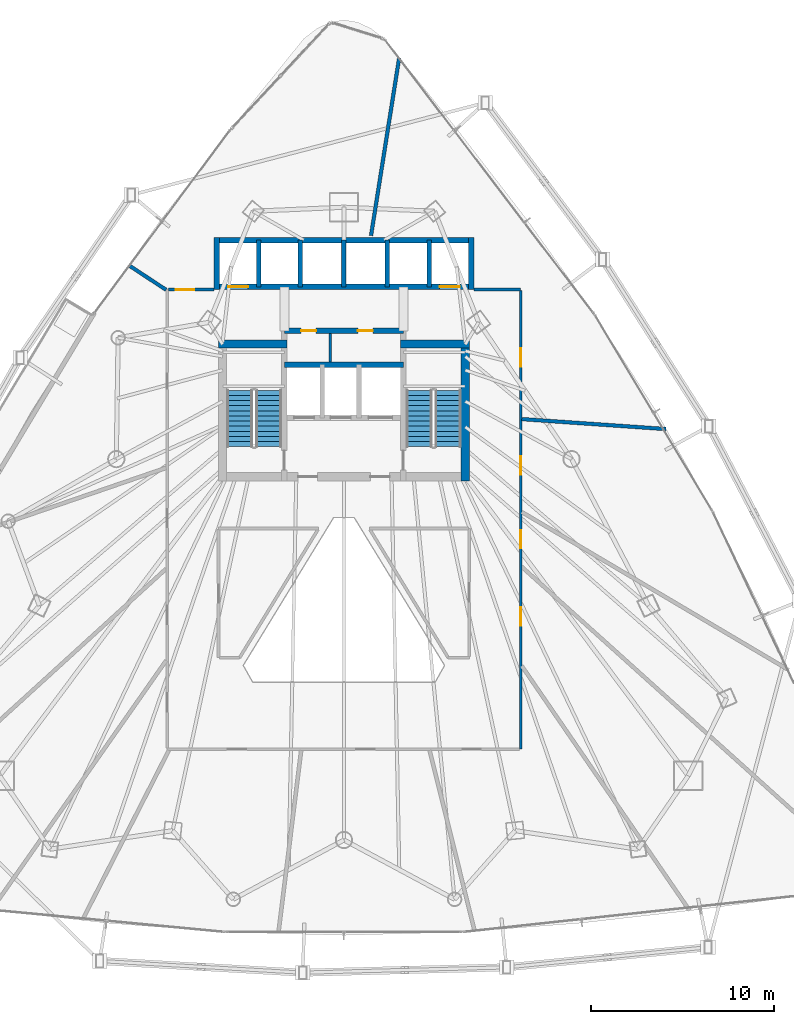
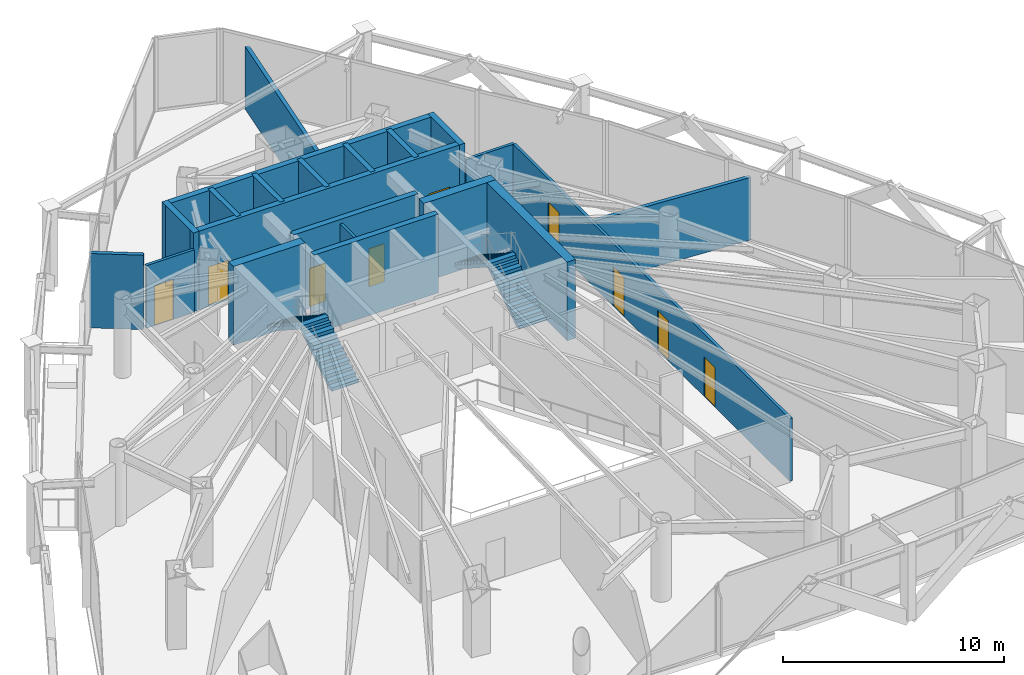
# One storey, part 29 of 33: 21 walls, 9 doors, 4 stair flights, 9 openings, 2 elements without a shape of their own.
"""IFC4 building model written with IfcOpenShell, lengths in metres."""

from ifc_helpers import new_model, si_unit, direction, frame, frame_2d, origin, place, context, subcontext, project, spatial, polyline, rectangle, outline, extrude, material, layer, layer_set, type_object, element, fill, aggregate, save


model = new_model("IFC4")

# Units and contexts
model_context = context("Model", 3, precision=1e-05, world=origin(), true_north=direction((0.0, 1.0)))
body_context = subcontext(model_context, "Body", "Model", "MODEL_VIEW")
ifc_project = project(units=[si_unit("LENGTHUNIT", "METRE"), si_unit("AREAUNIT", "SQUARE_METRE"), si_unit("VOLUMEUNIT", "CUBIC_METRE"), si_unit("PLANEANGLEUNIT", "RADIAN"), si_unit("MASSUNIT", "GRAM", prefix="KILO")], contexts=[model_context])

# Site, building, storey
site_placement = place(None, origin())
site = spatial("IfcSite", under=ifc_project, at=site_placement, CompositionType="ELEMENT")
building_placement = place(site_placement, origin())
building = spatial("IfcBuilding", under=site, at=building_placement, Name="Orvanel Arch Residences", CompositionType="ELEMENT")
storey_placement = place(building_placement, frame((0.0, 0.0, 59.89990234375)))
storey = spatial("IfcBuildingStorey", under=building, at=storey_placement, Name="L16", CompositionType="ELEMENT", Elevation=59.89990234375)

# Walls
ifc_material_1 = material(Name="Concrete N50 (50 MPa)", Category="concrete")
ifc_layer_1 = layer(ifc_material_1, 0.25)
ifc_layer_set_1 = layer_set([ifc_layer_1], Name="Concrete N50 (50 MPa)")
wall_type_1 = type_object("IfcWallType", Name="SW-CORE-250", PredefinedType="SHEAR", material=ifc_layer_set_1)
for number, where, z_axis, x_axis, name in (
    (1, (28.35009765625, 37.050048828125, 0.0), (0.0, 0.0, 1.0), (0.0, 1.0, 0.0), "L16 Passenger Lift Inter-Shaft Wall P13"),
    (2, (30.625, 37.050048828125, 0.0), (0.0, 0.0, 1.0), (0.0, 1.0, 0.0), "L16 Passenger Lift Inter-Shaft Wall P35"),
    (3, (33.0, 37.050048828125, 0.0), (0.0, 0.0, 1.0), (0.0, 1.0, 0.0), "L16 Passenger Lift Inter-Shaft Wall P56"),
    (4, (35.375, 37.050048828125, 0.0), (0.0, 0.0, 1.0), (0.0, 1.0, 0.0), "L16 Passenger Lift Inter-Shaft Wall P64"),
    (5, (37.64990234375, 37.050048828125, 0.0), (0.0, 0.0, 1.0), (0.0, 1.0, 0.0), "L16 Passenger Lift Inter-Shaft Wall P42"),
):
    element("IfcWall", number, at=place(storey_placement, frame(where, z_axis=z_axis, x_axis=x_axis)), inside=storey, type_object=wall_type_1, Name=name, PredefinedType="SHEAR", context=body_context, shape_type="SweptSolid", body=[
        extrude(rectangle(XDim=2.550048828125, YDim=0.25, at=frame_2d((1.27490234375, 0.0))), origin(), (0.0, 0.0, 1.0), 4.35009765625),
    ])
ifc_material_2 = material(Name="Concrete S80 (80 MPa)", Category="concrete")
ifc_layer_2 = layer(ifc_material_2, 0.300048828125)
ifc_layer_set_2 = layer_set([ifc_layer_2], Name="Concrete S80 (80 MPa)")
wall_type_2 = type_object("IfcWallType", Name="SW-CORE-300", PredefinedType="SHEAR", material=ifc_layer_set_2)
wall_1_placement = place(storey_placement, frame((29.75, 32.800048828125, 0.0), z_axis=(0.0, 0.0, 1.0), x_axis=(1.0, 0.0, 0.0)))
element("IfcWall", 6, at=wall_1_placement, inside=storey, type_object=wall_type_2, Name="L16 Emergency Lift Back Core Shear Wall", PredefinedType="SHEAR", context=body_context, shape_type="SweptSolid", body=[
    extrude(rectangle(XDim=6.5, YDim=0.300048828125, at=frame_2d((3.25, 0.0))), origin(), (0.0, 0.0, 1.0), 4.35009765625),
])

# Wall, openings, doors
wall_2_placement = place(storey_placement, frame((29.75, 34.64990234375, 0.0), z_axis=(0.0, 0.0, 1.0), x_axis=(1.0, 0.0, 0.0)))
wall_2 = element("IfcWall", 7, at=wall_2_placement, inside=storey, type_object=wall_type_2, Name="L16 Core Service Band North Shear Wall", PredefinedType="SHEAR", context=body_context, shape_type="SweptSolid", body=[
    extrude(rectangle(XDim=6.5, YDim=0.300048828125, at=frame_2d((3.25, 0.0))), origin(), (0.0, 0.0, 1.0), 4.35009765625),
])
opening_1_placement = place(wall_2_placement, frame((0.9150390625, 0.0, 0.0)))
opening_1 = element("IfcOpeningElement", 8, at=opening_1_placement, cuts=wall_2, Name="Opening DS-082", PredefinedType="OPENING", context=body_context, shape_type="SweptSolid", body=[
    extrude(rectangle(XDim=0.820068359375, YDim=2.10009765625, at=frame_2d((0.41015625, 1.050048828125))), frame((0.0, 0.159912109375, 0.0), z_axis=(0.0, -1.0, 0.0), x_axis=(1.0, 0.0, 0.0)), (0.0, 0.0, 1.0), 0.320068359375),
])
opening_2_placement = place(wall_2_placement, frame((4.014892578125, 0.0, 0.0)))
opening_2 = element("IfcOpeningElement", 9, at=opening_2_placement, cuts=wall_2, Name="Opening DW-082", PredefinedType="OPENING", context=body_context, shape_type="SweptSolid", body=[
    extrude(rectangle(XDim=0.820068359375, YDim=2.10009765625, at=frame_2d((0.41015625, 1.050048828125))), frame((0.0, 0.159912109375, 0.0), z_axis=(0.0, -1.0, 0.0), x_axis=(1.0, 0.0, 0.0)), (0.0, 0.0, 1.0), 0.320068359375),
])
ifc_material_3 = material(Name="Galvanised steel fire-resisting door assembly", Category="steel")
door_type_1 = type_object("IfcDoorType", Name="DR-SVC-820", OperationType="NOTDEFINED", PredefinedType="DOOR", material=ifc_material_3)
door_1_placement = place(opening_1_placement, origin())
door_1 = element("IfcDoor", 10, at=door_1_placement, inside=storey, type_object=door_type_1, Name="DR-L16-CSVC-1 L16 Floor Cleaner's Store Door", OperationType="SINGLE_SWING_LEFT", OverallHeight=2.10009765625, OverallWidth=0.820068359375, PredefinedType="DOOR", context=body_context, shape_type="SweptSolid", body=[
    extrude(rectangle(XDim=0.820068359375, YDim=2.10009765625, at=frame_2d((0.41015625, 1.050048828125))), frame((0.0, 0.02490234375, 0.0), z_axis=(0.0, -1.0, 0.0), x_axis=(1.0, 0.0, 0.0)), (0.0, 0.0, 1.0), 0.050048828125),
])
fill(opening_1, door_1)
ifc_material_4 = material(Name="Solid-core European oak veneer fire door leaf", Category="wood")
door_type_2 = type_object("IfcDoorType", Name="DR-WET-820", OperationType="NOTDEFINED", PredefinedType="DOOR", material=ifc_material_4)
door_2_placement = place(opening_2_placement, origin())
door_2 = element("IfcDoor", 11, at=door_2_placement, inside=storey, type_object=door_type_2, Name="DR-L16-CSVC-2 L16 Core Accessible WC Door", OperationType="SINGLE_SWING_LEFT", OverallHeight=2.10009765625, OverallWidth=0.820068359375, PredefinedType="DOOR", context=body_context, shape_type="SweptSolid", body=[
    extrude(rectangle(XDim=0.820068359375, YDim=2.10009765625, at=frame_2d((0.41015625, 1.050048828125))), frame((0.0, 0.02490234375, 0.0), z_axis=(0.0, -1.0, 0.0), x_axis=(1.0, 0.0, 0.0)), (0.0, 0.0, 1.0), 0.050048828125),
])
fill(opening_2, door_2)

wall_3_placement = place(storey_placement, frame((40.10009765625, 37.050048828125, 0.0), z_axis=(0.0, 0.0, 1.0), x_axis=(-1.0, 0.0, 0.0)))
wall_3 = element("IfcWall", 12, at=wall_3_placement, inside=storey, type_object=wall_type_2, Name="L16 Passenger Lift Bank Front Shear Wall", PredefinedType="SHEAR", context=body_context, shape_type="SweptSolid", body=[
    extrude(rectangle(XDim=14.2001953125, YDim=0.300048828125, at=frame_2d((7.10009765625, 0.0))), origin(), (0.0, 0.0, 1.0), 4.35009765625),
])
opening_3_placement = place(wall_3_placement, frame((12.324951171875, 0.0, 0.0)))
opening_3 = element("IfcOpeningElement", 13, at=opening_3_placement, cuts=wall_3, Name="Opening LD-110", PredefinedType="OPENING", context=body_context, shape_type="SweptSolid", body=[
    extrude(rectangle(XDim=1.10009765625, YDim=2.199951171875, at=frame_2d((0.550048828125, 1.10009765625))), frame((0.0, 0.159912109375, 0.0), z_axis=(0.0, -1.0, 0.0), x_axis=(1.0, 0.0, 0.0)), (0.0, 0.0, 1.0), 0.320068359375),
])
opening_4_placement = place(wall_3_placement, frame((0.77490234375, 0.0, 0.0)))
opening_4 = element("IfcOpeningElement", 14, at=opening_4_placement, cuts=wall_3, Name="Opening LD-110", PredefinedType="OPENING", context=body_context, shape_type="SweptSolid", body=[
    extrude(rectangle(XDim=1.10009765625, YDim=2.199951171875, at=frame_2d((0.550048828125, 1.10009765625))), frame((0.0, 0.159912109375, 0.0), z_axis=(0.0, -1.0, 0.0), x_axis=(1.0, 0.0, 0.0)), (0.0, 0.0, 1.0), 0.320068359375),
])
door_type_3 = type_object("IfcDoorType", Name="DR-LFT-1100", OperationType="NOTDEFINED", PredefinedType="DOOR", material=ifc_material_3)
door_3_placement = place(opening_3_placement, origin())
door_3 = element("IfcDoor", 15, at=door_3_placement, inside=storey, type_object=door_type_3, Name="LD-P1-L16 L16 Passenger Lift P1 Sliding Landing Door", OperationType="DOUBLE_DOOR_SLIDING", OverallHeight=2.199951171875, OverallWidth=1.10009765625, PredefinedType="DOOR", context=body_context, shape_type="SweptSolid", body=[
    extrude(rectangle(XDim=1.10009765625, YDim=2.199951171875, at=frame_2d((0.550048828125, 1.10009765625))), frame((0.0, 0.02490234375, 0.0), z_axis=(0.0, -1.0, 0.0), x_axis=(1.0, 0.0, 0.0)), (0.0, 0.0, 1.0), 0.050048828125),
])
fill(opening_3, door_3)
door_4_placement = place(opening_4_placement, origin())
door_4 = element("IfcDoor", 16, at=door_4_placement, inside=storey, type_object=door_type_3, Name="LD-P2-L16 L16 Passenger Lift P2 Sliding Landing Door", OperationType="DOUBLE_DOOR_SLIDING", OverallHeight=2.199951171875, OverallWidth=1.10009765625, PredefinedType="DOOR", context=body_context, shape_type="SweptSolid", body=[
    extrude(rectangle(XDim=1.10009765625, YDim=2.199951171875, at=frame_2d((0.550048828125, 1.10009765625))), frame((0.0, 0.02490234375, 0.0), z_axis=(0.0, -1.0, 0.0), x_axis=(1.0, 0.0, 0.0)), (0.0, 0.0, 1.0), 0.050048828125),
])
fill(opening_4, door_4)

# Walls
wall_4_placement = place(storey_placement, frame((25.89990234375, 39.60009765625, 0.0), z_axis=(0.0, 0.0, 1.0), x_axis=(1.0, 0.0, 0.0)))
element("IfcWall", 17, at=wall_4_placement, inside=storey, type_object=wall_type_2, Name="L16 Passenger Lift Bank North Shear Wall", PredefinedType="SHEAR", context=body_context, shape_type="SweptSolid", body=[
    extrude(rectangle(XDim=14.2001953125, YDim=0.300048828125, at=frame_2d((7.10009765625, 0.0))), origin(), (0.0, 0.0, 1.0), 4.35009765625),
])
for number, where, z_axis, x_axis, name in (
    (18, (26.050048828125, 36.89990234375, 0.0), (0.0, 0.0, 1.0), (0.0, 1.0, 0.0), "L16 Passenger Lift Bank West Shear Wall"),
    (19, (39.949951171875, 36.89990234375, 0.0), (0.0, 0.0, 1.0), (0.0, 1.0, 0.0), "L16 Passenger Lift Bank East Shear Wall"),
):
    element("IfcWall", number, at=place(storey_placement, frame(where, z_axis=z_axis, x_axis=x_axis)), inside=storey, type_object=wall_type_2, Name=name, PredefinedType="SHEAR", context=body_context, shape_type="SweptSolid", body=[
        extrude(rectangle(XDim=2.85009765625, YDim=0.300048828125, at=frame_2d((1.425048828125, 0.0))), origin(), (0.0, 0.0, 1.0), 4.35009765625),
    ])
ifc_layer_3 = layer(ifc_material_2, 0.449951171875)
ifc_layer_set_3 = layer_set([ifc_layer_3], Name="Concrete S80 (80 MPa)")
wall_type_3 = type_object("IfcWallType", Name="SW-CORE-450", PredefinedType="SHEAR", material=ifc_layer_set_3)
wall_5_placement = place(storey_placement, frame((26.14990234375, 33.925048828125, 0.0), z_axis=(0.0, 0.0, 1.0), x_axis=(1.0, 0.0, 0.0)))
element("IfcWall", 20, at=wall_5_placement, inside=storey, type_object=wall_type_3, Name="L16 West Stair North Shear Wall", PredefinedType="SHEAR", context=body_context, shape_type="SweptSolid", body=[
    extrude(rectangle(XDim=3.75, YDim=0.449951171875, at=frame_2d((1.875, 0.0))), origin(), (0.0, 0.0, 1.0), 4.35009765625),
])
wall_6_placement = place(storey_placement, frame((39.625, 26.449951171875, 0.0), z_axis=(0.0, 0.0, 1.0), x_axis=(0.0, 1.0, 0.0)))
element("IfcWall", 21, at=wall_6_placement, inside=storey, type_object=wall_type_3, Name="L16 East Stair Shear Wall", PredefinedType="SHEAR", context=body_context, shape_type="SweptSolid", body=[
    extrude(rectangle(XDim=7.699951171875, YDim=0.449951171875, at=frame_2d((3.85009765625, 0.0))), origin(), (0.0, 0.0, 1.0), 4.35009765625),
])
wall_7_placement = place(storey_placement, frame((36.10009765625, 33.925048828125, 0.0), z_axis=(0.0, 0.0, 1.0), x_axis=(1.0, 0.0, 0.0)))
element("IfcWall", 22, at=wall_7_placement, inside=storey, type_object=wall_type_3, Name="L16 East Stair North Shear Wall", PredefinedType="SHEAR", context=body_context, shape_type="SweptSolid", body=[
    extrude(rectangle(XDim=3.75, YDim=0.449951171875, at=frame_2d((1.875, 0.0))), origin(), (0.0, 0.0, 1.0), 4.35009765625),
])
ifc_material_5 = material(Name="Fire-rated plasterboard lined steel stud partition", Category="steel")
ifc_layer_4 = layer(ifc_material_5, 0.14990234375)
ifc_layer_set_4 = layer_set([ifc_layer_4], Name="Fire-rated plasterboard lined steel stud partition")
wall_type_4 = type_object("IfcWallType", Name="W-COR-150", PredefinedType="PARTITIONING", material=ifc_layer_set_4)
wall_8_placement = place(storey_placement, frame((40.10009765625, 36.89990234375, 0.0), z_axis=(0.0, 0.0, 1.0), x_axis=(1.0, 0.0, 0.0)))
element("IfcWall", 23, at=wall_8_placement, inside=storey, type_object=wall_type_4, Name="L16 Community Corridor Wall", PredefinedType="PARTITIONING", context=body_context, shape_type="SweptSolid", body=[
    extrude(rectangle(XDim=2.5498046875, YDim=0.14990234375, at=frame_2d((1.27490234375, 0.0))), origin(), (0.0, 0.0, 1.0), 3.463134765625),
])

# Wall, openings, doors
wall_9_placement = place(storey_placement, frame((42.64990234375, 36.840087890625, 0.0), z_axis=(0.0, 0.0, 1.0), x_axis=(0.0, -1.0, 0.0)))
wall_9 = element("IfcWall", 24, at=wall_9_placement, inside=storey, type_object=wall_type_4, Name="L16 Community Corridor Wall", PredefinedType="PARTITIONING", context=body_context, shape_type="SweptSolid", body=[
    extrude(rectangle(XDim=25.0400390625, YDim=0.14990234375, at=frame_2d((12.52001953125, 0.0))), origin(), (0.0, 0.0, 1.0), 3.463134765625),
])
opening_5_placement = place(wall_9_placement, frame((9.047119140625, 0.0, 0.0)))
opening_5 = element("IfcOpeningElement", 25, at=opening_5_placement, cuts=wall_9, Name="Opening DP-100", PredefinedType="OPENING", context=body_context, shape_type="SweptSolid", body=[
    extrude(rectangle(XDim=1.0, YDim=2.199951171875, at=frame_2d((0.5, 1.10009765625))), frame((0.0, 0.0849609375, 0.0), z_axis=(0.0, -1.0, 0.0), x_axis=(1.0, 0.0, 0.0)), (0.0, 0.0, 1.0), 0.169921875),
])
opening_6_placement = place(wall_9_placement, frame((13.074951171875, 0.0, 0.0)))
opening_6 = element("IfcOpeningElement", 26, at=opening_6_placement, cuts=wall_9, Name="Opening DP-100", PredefinedType="OPENING", context=body_context, shape_type="SweptSolid", body=[
    extrude(rectangle(XDim=1.0, YDim=2.199951171875, at=frame_2d((0.5, 1.10009765625))), frame((0.0, 0.0849609375, 0.0), z_axis=(0.0, -1.0, 0.0), x_axis=(1.0, 0.0, 0.0)), (0.0, 0.0, 1.0), 0.169921875),
])
opening_7_placement = place(wall_9_placement, frame((3.154052734375, 0.0, 0.0)))
opening_7 = element("IfcOpeningElement", 27, at=opening_7_placement, cuts=wall_9, Name="Opening DP-100", PredefinedType="OPENING", context=body_context, shape_type="SweptSolid", body=[
    extrude(rectangle(XDim=1.0, YDim=2.199951171875, at=frame_2d((0.5, 1.10009765625))), frame((0.0, 0.0849609375, 0.0), z_axis=(0.0, -1.0, 0.0), x_axis=(1.0, 0.0, 0.0)), (0.0, 0.0, 1.0), 0.169921875),
])
opening_8_placement = place(wall_9_placement, frame((17.298095703125, 0.0, 0.0)))
opening_8 = element("IfcOpeningElement", 28, at=opening_8_placement, cuts=wall_9, Name="Opening DP-100", PredefinedType="OPENING", context=body_context, shape_type="SweptSolid", body=[
    extrude(rectangle(XDim=1.0, YDim=2.199951171875, at=frame_2d((0.5, 1.10009765625))), frame((0.0, 0.0849609375, 0.0), z_axis=(0.0, -1.0, 0.0), x_axis=(1.0, 0.0, 0.0)), (0.0, 0.0, 1.0), 0.169921875),
])
door_type_4 = type_object("IfcDoorType", Name="DR-POD-1000", OperationType="NOTDEFINED", PredefinedType="DOOR", material=ifc_material_4)
door_5_placement = place(opening_5_placement, origin())
door_5 = element("IfcDoor", 29, at=door_5_placement, inside=storey, type_object=door_type_4, Name="DR-L16-LIB-7 L16 Resident Reading Library Door", OperationType="SINGLE_SWING_LEFT", OverallHeight=2.199951171875, OverallWidth=1.0, PredefinedType="DOOR", context=body_context, shape_type="SweptSolid", body=[
    extrude(rectangle(XDim=1.0, YDim=2.199951171875, at=frame_2d((0.5, 1.10009765625))), frame((0.0, 0.02490234375, 0.0), z_axis=(0.0, -1.0, 0.0), x_axis=(1.0, 0.0, 0.0)), (0.0, 0.0, 1.0), 0.050048828125),
])
fill(opening_5, door_5)
door_6_placement = place(opening_6_placement, origin())
door_6 = element("IfcDoor", 30, at=door_6_placement, inside=storey, type_object=door_type_4, Name="DR-L16-STRX9-9 L16 Community Equipment Store 9 Door", OperationType="SINGLE_SWING_LEFT", OverallHeight=2.199951171875, OverallWidth=1.0, PredefinedType="DOOR", context=body_context, shape_type="SweptSolid", body=[
    extrude(rectangle(XDim=1.0, YDim=2.199951171875, at=frame_2d((0.5, 1.10009765625))), frame((0.0, 0.02490234375, 0.0), z_axis=(0.0, -1.0, 0.0), x_axis=(1.0, 0.0, 0.0)), (0.0, 0.0, 1.0), 0.050048828125),
])
fill(opening_6, door_6)
door_7_placement = place(opening_7_placement, origin())
door_7 = element("IfcDoor", 31, at=door_7_placement, inside=storey, type_object=door_type_4, Name="DR-L16-STRX10-10 L16 Community Equipment Store 10 Door", OperationType="SINGLE_SWING_LEFT", OverallHeight=2.199951171875, OverallWidth=1.0, PredefinedType="DOOR", context=body_context, shape_type="SweptSolid", body=[
    extrude(rectangle(XDim=1.0, YDim=2.199951171875, at=frame_2d((0.5, 1.10009765625))), frame((0.0, 0.02490234375, 0.0), z_axis=(0.0, -1.0, 0.0), x_axis=(1.0, 0.0, 0.0)), (0.0, 0.0, 1.0), 0.050048828125),
])
fill(opening_7, door_7)
door_8_placement = place(opening_8_placement, origin())
door_8 = element("IfcDoor", 32, at=door_8_placement, inside=storey, type_object=door_type_4, Name="DR-L16-STRX13-13 L16 Community Equipment Store 13 Door", OperationType="SINGLE_SWING_LEFT", OverallHeight=2.199951171875, OverallWidth=1.0, PredefinedType="DOOR", context=body_context, shape_type="SweptSolid", body=[
    extrude(rectangle(XDim=1.0, YDim=2.199951171875, at=frame_2d((0.5, 1.10009765625))), frame((0.0, 0.02490234375, 0.0), z_axis=(0.0, -1.0, 0.0), x_axis=(1.0, 0.0, 0.0)), (0.0, 0.0, 1.0), 0.050048828125),
])
fill(opening_8, door_8)

# Wall, opening, door
wall_10_placement = place(storey_placement, frame((23.409912109375, 36.89990234375, 0.0), z_axis=(0.0, 0.0, 1.0), x_axis=(1.0, 0.0, 0.0)))
wall_10 = element("IfcWall", 33, at=wall_10_placement, inside=storey, type_object=wall_type_4, Name="L16 Community Corridor Wall", PredefinedType="PARTITIONING", context=body_context, shape_type="SweptSolid", body=[
    extrude(rectangle(XDim=2.489990234375, YDim=0.14990234375, at=frame_2d((1.2451171875, 0.0))), origin(), (0.0, 0.0, 1.0), 3.463134765625),
])
opening_9_placement = place(wall_10_placement, frame((0.4140625, 0.0, 0.0)))
opening_9 = element("IfcOpeningElement", 34, at=opening_9_placement, cuts=wall_10, Name="Opening DP-100", PredefinedType="OPENING", context=body_context, shape_type="SweptSolid", body=[
    extrude(rectangle(XDim=1.0, YDim=2.199951171875, at=frame_2d((0.5, 1.10009765625))), frame((0.0, 0.0849609375, 0.0), z_axis=(0.0, -1.0, 0.0), x_axis=(1.0, 0.0, 0.0)), (0.0, 0.0, 1.0), 0.169921875),
])
door_9_placement = place(opening_9_placement, origin())
door_9 = element("IfcDoor", 35, at=door_9_placement, inside=storey, type_object=door_type_4, Name="DR-L16-OFC-2 L16 Co-Working Office Door", OperationType="SINGLE_SWING_LEFT", OverallHeight=2.199951171875, OverallWidth=1.0, PredefinedType="DOOR", context=body_context, shape_type="SweptSolid", body=[
    extrude(rectangle(XDim=1.0, YDim=2.199951171875, at=frame_2d((0.5, 1.10009765625))), frame((0.0, 0.02490234375, 0.0), z_axis=(0.0, -1.0, 0.0), x_axis=(1.0, 0.0, 0.0)), (0.0, 0.0, 1.0), 0.050048828125),
])
fill(opening_9, door_9)

# Walls
ifc_layer_5 = layer(ifc_material_5, 0.199951171875)
ifc_layer_set_5 = layer_set([ifc_layer_5], Name="Fire-rated plasterboard lined steel stud partition")
wall_type_5 = type_object("IfcWallType", Name="W-DEM-200", PredefinedType="PARTITIONING", material=ifc_layer_set_5)
wall_11_placement = place(storey_placement, frame((36.02001953125, 49.56494140625, 0.0), z_axis=(0.0, 0.0, 1.0), x_axis=(-0.156472392087, -0.987682332795, 0.0)))
element("IfcWall", 36, at=wall_11_placement, inside=storey, type_object=wall_type_5, Name="L16 Amenity Wall", PredefinedType="PARTITIONING", context=body_context, shape_type="SweptSolid", body=[
    extrude(rectangle(XDim=9.8359375, YDim=0.199951171875, at=frame_2d((4.91796875, 0.0))), origin(), (0.0, 0.0, 1.0), 3.463134765625),
])
wall_12_placement = place(storey_placement, frame((23.2900390625, 36.886962890625, 0.0), z_axis=(0.0, 0.0, 1.0), x_axis=(-0.83542914538, 0.549598165071, 0.0)))
element("IfcWall", 37, at=wall_12_placement, inside=storey, type_object=wall_type_5, Name="L16 Amenity Wall", PredefinedType="PARTITIONING", context=body_context, shape_type="SweptSolid", body=[
    extrude(rectangle(XDim=2.4453125, YDim=0.199951171875, at=frame_2d((1.22265625, 0.0))), origin(), (0.0, 0.0, 1.0), 4.110107421875),
])
wall_13_placement = place(storey_placement, frame((50.592041015625, 29.282958984375, 0.0), z_axis=(0.0, 0.0, 1.0), x_axis=(-0.997618758707, 0.068969647497, 0.0)))
element("IfcWall", 38, at=wall_13_placement, inside=storey, type_object=wall_type_5, Name="L16 Amenity Wall", PredefinedType="PARTITIONING", context=body_context, shape_type="SweptSolid", body=[
    extrude(rectangle(XDim=7.90087890625, YDim=0.199951171875, at=frame_2d((3.950439453125, 0.0))), origin(), (0.0, 0.0, 1.0), 3.463134765625),
])
ifc_layer_6 = layer(ifc_material_5, 0.14990234375)
ifc_layer_set_6 = layer_set([ifc_layer_6], Name="Fire-rated plasterboard lined steel stud partition")
wall_type_6 = type_object("IfcWallType", Name="W-ST-150", PredefinedType="PARTITIONING", material=ifc_layer_set_6)
wall_14_placement = place(storey_placement, frame((32.25, 32.93505859375, 0.0), z_axis=(0.0, 0.0, 1.0), x_axis=(0.0, 1.0, 0.0)))
element("IfcWall", 39, at=wall_14_placement, inside=storey, type_object=wall_type_6, Name="L16 Core Service Partition 1", PredefinedType="PARTITIONING", context=body_context, shape_type="SweptSolid", body=[
    extrude(rectangle(XDim=1.579833984375, YDim=0.14990234375, at=frame_2d((0.7900390625, 0.0))), origin(), (0.0, 0.0, 1.0), 4.110107421875),
])

# Stair, stair flights
ifc_material_6 = material(Name="Precast concrete N50 (50 MPa)", Category="concrete")
stair_type = type_object("IfcStairType", Name="STR-DOG-181", PredefinedType="USERDEFINED", material=ifc_material_6)
stair_1_placement = place(storey_placement, origin())
stair_1 = element("IfcStair", 40, at=stair_1_placement, inside=storey, type_object=stair_type, Name="L16 Fire-Isolated Core Exit Stair 1", ObjectType="TWO_RETURN_STAIR", PredefinedType="USERDEFINED")
stair_flight_type_1 = type_object("IfcStairFlightType", Name="SFL-C1-181", PredefinedType="STRAIGHT", material=ifc_material_6)
stair_flight_1_placement = place(storey_placement, frame((28.889892578125, 28.320068359375, 0.0), z_axis=(0.0, 0.0, 1.0), x_axis=(0.0, 1.0, 0.0)))
stair_flight_1 = element("IfcStairFlight", 41, at=stair_flight_1_placement, type_object=stair_flight_type_1, Name="ST-1 flight 1", NumberOfRisers=12, NumberOfTreads=11, PredefinedType="STRAIGHT", RiserHeight=0.18125, TreadLength=0.28, context=body_context, shape_type="SweptSolid", body=[
    extrude(outline(polyline([(0.0, 0.0), (0.0, 0.18115234375), (0.280029296875, 0.18115234375), (0.280029296875, 0.362548828125), (0.56005859375, 0.362548828125), (0.56005859375, 0.543701171875), (0.840087890625, 0.543701171875), (0.840087890625, 0.72509765625), (1.1201171875, 0.72509765625), (1.1201171875, 0.90625), (1.39990234375, 0.90625), (1.39990234375, 1.08740234375), (1.679931640625, 1.08740234375), (1.679931640625, 1.268798828125), (1.9599609375, 1.268798828125), (1.9599609375, 1.449951171875), (2.239990234375, 1.449951171875), (2.239990234375, 1.63134765625), (2.52001953125, 1.63134765625), (2.52001953125, 1.8125), (2.800048828125, 1.8125), (2.800048828125, 1.99365234375), (3.080078125, 1.99365234375), (3.080078125, 2.175048828125), (3.080078125, 1.815185546875), (0.27587890625, 0.0), (0.0, 0.0)])), frame((0.0, 0.7099609375, 0.0), z_axis=(0.0, -1.0, 0.0), x_axis=(1.0, 0.0, 0.0)), (0.0, 0.0, 1.0), 1.419921875),
])
stair_flight_2_placement = place(storey_placement, frame((27.31005859375, 31.39990234375, 2.175048828125), z_axis=(0.0, 0.0, 1.0), x_axis=(0.0, -1.0, 0.0)))
stair_flight_2 = element("IfcStairFlight", 42, at=stair_flight_2_placement, type_object=stair_flight_type_1, Name="ST-1 flight 2", NumberOfRisers=12, NumberOfTreads=11, PredefinedType="STRAIGHT", RiserHeight=0.18125, TreadLength=0.28, context=body_context, shape_type="SweptSolid", body=[
    extrude(outline(polyline([(0.0, 0.0), (0.0, 0.18115234375), (0.280029296875, 0.18115234375), (0.280029296875, 0.362548828125), (0.56005859375, 0.362548828125), (0.56005859375, 0.543701171875), (0.840087890625, 0.543701171875), (0.840087890625, 0.72509765625), (1.1201171875, 0.72509765625), (1.1201171875, 0.90625), (1.39990234375, 0.90625), (1.39990234375, 1.08740234375), (1.679931640625, 1.08740234375), (1.679931640625, 1.268798828125), (1.9599609375, 1.268798828125), (1.9599609375, 1.449951171875), (2.239990234375, 1.449951171875), (2.239990234375, 1.63134765625), (2.52001953125, 1.63134765625), (2.52001953125, 1.8125), (2.800048828125, 1.8125), (2.800048828125, 1.99365234375), (3.080078125, 1.99365234375), (3.080078125, 2.175048828125), (3.080078125, 1.815185546875), (0.27587890625, 0.0), (0.0, 0.0)])), frame((0.0, 0.7099609375, 0.0), z_axis=(0.0, -1.0, 0.0), x_axis=(1.0, 0.0, 0.0)), (0.0, 0.0, 1.0), 1.419921875),
])
aggregate(stair_1, [stair_flight_1, stair_flight_2])

stair_2_placement = place(storey_placement, origin())
stair_2 = element("IfcStair", 43, at=stair_2_placement, inside=storey, type_object=stair_type, Name="L16 Fire-Isolated Core Exit Stair 2", ObjectType="TWO_RETURN_STAIR", PredefinedType="USERDEFINED")
stair_flight_type_2 = type_object("IfcStairFlightType", Name="SFL-C2-181", PredefinedType="STRAIGHT", material=ifc_material_6)
stair_flight_3_placement = place(storey_placement, frame((38.68994140625, 28.320068359375, 0.0), z_axis=(0.0, 0.0, 1.0), x_axis=(0.0, 1.0, 0.0)))
stair_flight_3 = element("IfcStairFlight", 44, at=stair_flight_3_placement, type_object=stair_flight_type_2, Name="ST-2 flight 1", NumberOfRisers=12, NumberOfTreads=11, PredefinedType="STRAIGHT", RiserHeight=0.18125, TreadLength=0.28, context=body_context, shape_type="SweptSolid", body=[
    extrude(outline(polyline([(0.0, 0.0), (0.0, 0.18115234375), (0.280029296875, 0.18115234375), (0.280029296875, 0.362548828125), (0.56005859375, 0.362548828125), (0.56005859375, 0.543701171875), (0.840087890625, 0.543701171875), (0.840087890625, 0.72509765625), (1.1201171875, 0.72509765625), (1.1201171875, 0.90625), (1.39990234375, 0.90625), (1.39990234375, 1.08740234375), (1.679931640625, 1.08740234375), (1.679931640625, 1.268798828125), (1.9599609375, 1.268798828125), (1.9599609375, 1.449951171875), (2.239990234375, 1.449951171875), (2.239990234375, 1.63134765625), (2.52001953125, 1.63134765625), (2.52001953125, 1.8125), (2.800048828125, 1.8125), (2.800048828125, 1.99365234375), (3.080078125, 1.99365234375), (3.080078125, 2.175048828125), (3.080078125, 1.815185546875), (0.27587890625, 0.0), (0.0, 0.0)])), frame((0.0, 0.7099609375, 0.0), z_axis=(0.0, -1.0, 0.0), x_axis=(1.0, 0.0, 0.0)), (0.0, 0.0, 1.0), 1.419921875),
])
stair_flight_4_placement = place(storey_placement, frame((37.110107421875, 31.39990234375, 2.175048828125), z_axis=(0.0, 0.0, 1.0), x_axis=(0.0, -1.0, 0.0)))
stair_flight_4 = element("IfcStairFlight", 45, at=stair_flight_4_placement, type_object=stair_flight_type_2, Name="ST-2 flight 2", NumberOfRisers=12, NumberOfTreads=11, PredefinedType="STRAIGHT", RiserHeight=0.18125, TreadLength=0.28, context=body_context, shape_type="SweptSolid", body=[
    extrude(outline(polyline([(0.0, 0.0), (0.0, 0.18115234375), (0.280029296875, 0.18115234375), (0.280029296875, 0.362548828125), (0.56005859375, 0.362548828125), (0.56005859375, 0.543701171875), (0.840087890625, 0.543701171875), (0.840087890625, 0.72509765625), (1.1201171875, 0.72509765625), (1.1201171875, 0.90625), (1.39990234375, 0.90625), (1.39990234375, 1.08740234375), (1.679931640625, 1.08740234375), (1.679931640625, 1.268798828125), (1.9599609375, 1.268798828125), (1.9599609375, 1.449951171875), (2.239990234375, 1.449951171875), (2.239990234375, 1.63134765625), (2.52001953125, 1.63134765625), (2.52001953125, 1.8125), (2.800048828125, 1.8125), (2.800048828125, 1.99365234375), (3.080078125, 1.99365234375), (3.080078125, 2.175048828125), (3.080078125, 1.815185546875), (0.27587890625, 0.0), (0.0, 0.0)])), frame((0.0, 0.7099609375, 0.0), z_axis=(0.0, -1.0, 0.0), x_axis=(1.0, 0.0, 0.0)), (0.0, 0.0, 1.0), 1.419921875),
])
aggregate(stair_2, [stair_flight_3, stair_flight_4])

save(model, "model.ifc")
